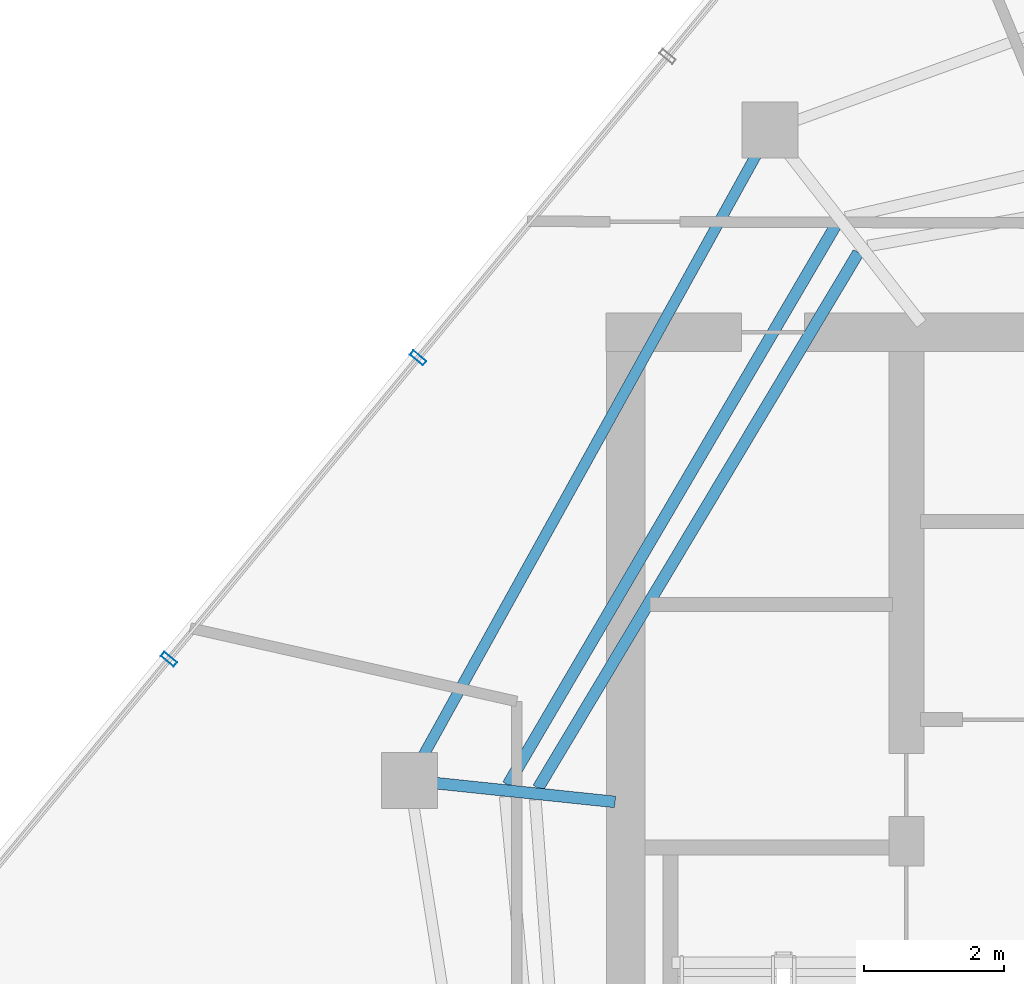
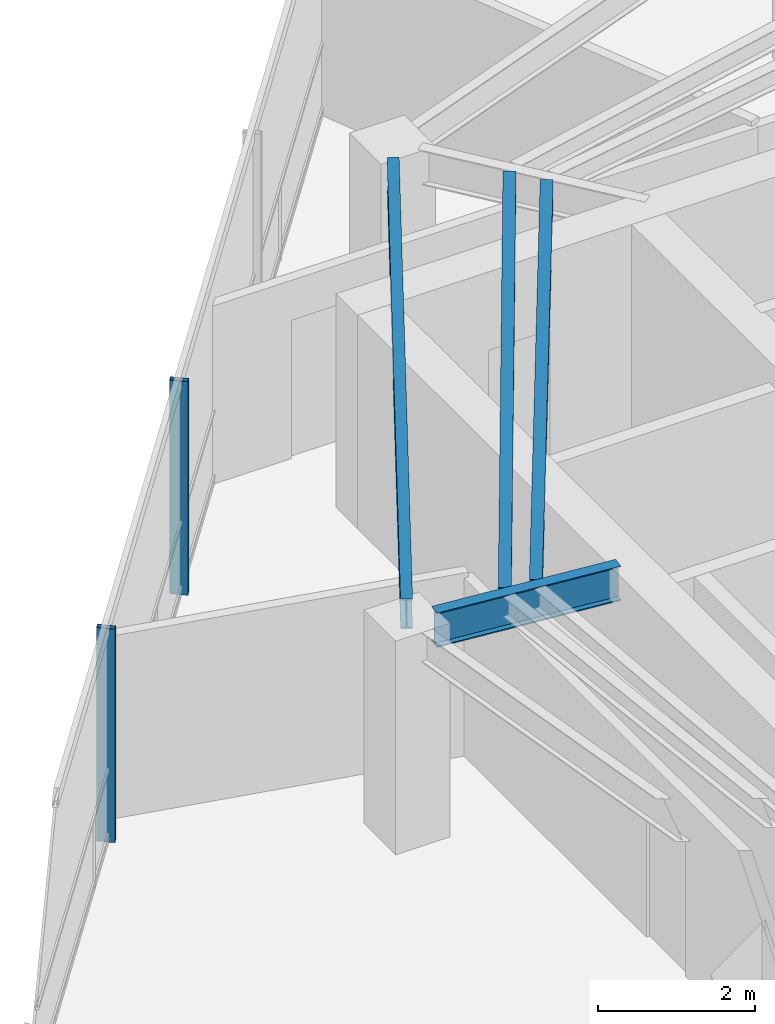
# One storey, part 6 of 19: 4 beams, 2 members, 1 element without a shape of its own.
"""IFC4 building model written with IfcOpenShell, lengths in metres."""

from ifc_helpers import new_model, si_unit, direction, frame, origin, origin_2d, place, context, subcontext, project, spatial, hollow_rectangle, i_section, extrude, material, layer, layer_set, material_profile, profile_set, type_object, element, aggregate, save


model = new_model("IFC4")

# Units and contexts
model_context = context("Model", 3, precision=1e-05, world=origin(), true_north=direction((0.0, 1.0)))
body_context = subcontext(model_context, "Body", "Model", "MODEL_VIEW")
ifc_project = project(units=[si_unit("LENGTHUNIT", "METRE"), si_unit("AREAUNIT", "SQUARE_METRE"), si_unit("VOLUMEUNIT", "CUBIC_METRE"), si_unit("PLANEANGLEUNIT", "RADIAN"), si_unit("MASSUNIT", "GRAM", prefix="KILO")], contexts=[model_context])

# Site, building, storey
site_placement = place(None, origin())
site = spatial("IfcSite", under=ifc_project, at=site_placement, CompositionType="ELEMENT")
building_placement = place(site_placement, origin())
building = spatial("IfcBuilding", under=site, at=building_placement, Name="Qarnah Convention Tower", CompositionType="ELEMENT")
storey_placement = place(building_placement, frame((0.0, 0.0, 257.10009765625)))
storey = spatial("IfcBuildingStorey", under=building, at=storey_placement, Name="L69", CompositionType="ELEMENT", Elevation=257.10009765625)

# Beams
ifc_material_1 = material(Name="Structural steel S355JR", Category="steel")
ifc_material_profile_1 = material_profile(ifc_material_1, i_section(OverallWidth=0.166015625, OverallDepth=0.31201171875, WebThickness=0.007080078125, FlangeThickness=0.010986328125, at=origin_2d()), Name="W310X45")
ifc_profile_set_1 = profile_set([ifc_material_profile_1], Name="Structural steel S355JR")
beam_type_1 = type_object("IfcBeamType", Name="BM-JST-W310", PredefinedType="JOIST", material=ifc_profile_set_1)
beam_1_placement = place(storey_placement, frame((29.801025390625, 35.73388671875, 3.163818359375), z_axis=(-0.505632134477, -0.862749178258, 0.0), x_axis=(0.862749178258, -0.505632134477, 0.0)))
element("IfcBeam", 1, at=beam_1_placement, inside=storey, type_object=beam_type_1, Name="L69 joist BM-L69-SJST-04", PredefinedType="JOIST", context=body_context, shape_type="SweptSolid", body=[
    extrude(i_section(OverallWidth=0.166015625, OverallDepth=0.31201171875, WebThickness=0.007080078125, FlangeThickness=0.010986328125, at=origin_2d()), origin(), (0.0, 0.0, 1.0), 9.251708984375),
])
beam_2_placement = place(storey_placement, frame((30.115966796875, 35.33203125, 3.163818359375), z_axis=(-0.513372127696, -0.858166101932, 0.0), x_axis=(0.858166101932, -0.513372127696, 0.0)))
element("IfcBeam", 2, at=beam_2_placement, inside=storey, type_object=beam_type_1, Name="L69 joist BM-L69-IJST-04", PredefinedType="JOIST", context=body_context, shape_type="SweptSolid", body=[
    extrude(i_section(OverallWidth=0.166015625, OverallDepth=0.31201171875, WebThickness=0.007080078125, FlangeThickness=0.010986328125, at=origin_2d()), origin(), (0.0, 0.0, 1.0), 8.886474609375),
])
ifc_material_profile_2 = material_profile(ifc_material_1, i_section(OverallWidth=0.166015625, OverallDepth=0.535888671875, WebThickness=0.010009765625, FlangeThickness=0.01708984375, at=origin_2d()), Name="W530X85")
ifc_profile_set_2 = profile_set([ifc_material_profile_2], Name="Structural steel S355JR")
beam_type_2 = type_object("IfcBeamType", Name="BM-RAD-W530B", PredefinedType="BEAM", material=ifc_profile_set_2)
beam_3_placement = place(storey_placement, frame((26.65087890625, 27.509033203125, 3.052001953125), z_axis=(-0.994564280912, 0.104124402207, 0.0), x_axis=(-0.104124402207, -0.994564280912, 0.0)))
element("IfcBeam", 3, at=beam_3_placement, inside=storey, type_object=beam_type_2, Name="L69 beam BM-L69-RAD-05", PredefinedType="BEAM", context=body_context, shape_type="SweptSolid", body=[
    extrude(i_section(OverallWidth=0.166015625, OverallDepth=0.535888671875, WebThickness=0.010009765625, FlangeThickness=0.01708984375, at=origin_2d()), origin(), (0.0, 0.0, 1.0), 2.562744140625),
])
ifc_material_profile_3 = material_profile(ifc_material_1, i_section(OverallWidth=0.154052734375, OverallDepth=0.4599609375, WebThickness=0.009033203125, FlangeThickness=0.014892578125, at=origin_2d()), Name="W460X68")
ifc_profile_set_3 = profile_set([ifc_material_profile_3], Name="Structural steel S355JR")
beam_type_3 = type_object("IfcBeamType", Name="BM-SPN-W460B", PredefinedType="SPANDREL", material=ifc_profile_set_3)
beam_4_placement = place(storey_placement, frame((28.6689453125, 36.737060546875, 3.08984375), z_axis=(-0.48479748752, -0.87462643231, 0.0), x_axis=(0.87462643231, -0.48479748752, 0.0)))
element("IfcBeam", 4, at=beam_4_placement, inside=storey, type_object=beam_type_3, Name="L69 spandrel BM-L69-SPN-04", PredefinedType="SPANDREL", context=body_context, shape_type="SweptSolid", body=[
    extrude(i_section(OverallWidth=0.154052734375, OverallDepth=0.4599609375, WebThickness=0.009033203125, FlangeThickness=0.014892578125, at=origin_2d()), origin(), (0.0, 0.0, 1.0), 9.81005859375),
])

# Curtain wall, members
ifc_material_2 = material(Name="Tempered Low-E dark glass", Category="glass")
ifc_layer = layer(ifc_material_2, 0.176025390625)
ifc_layer_set = layer_set([ifc_layer], Name="Tempered Low-E dark glass")
curtain_wall_type = type_object("IfcCurtainWallType", Name="CWS-05", PredefinedType="NOTDEFINED", material=ifc_layer_set)
curtain_wall_placement = place(storey_placement, origin())
curtain_wall = element("IfcCurtainWall", 5, at=curtain_wall_placement, inside=storey, type_object=curtain_wall_type, Name="L69 unitised curtain wall CW-L69-F3", PredefinedType="NOTDEFINED")
ifc_material_3 = material(Name="Black anodised aluminium", Category="aluminium")
ifc_material_profile_4 = material_profile(ifc_material_3, hollow_rectangle(XDim=0.080078125, YDim=0.239990234375, WallThickness=0.0048828125, at=origin_2d()), Name="MUL-80X240")
ifc_profile_set_4 = profile_set([ifc_material_profile_4], Name="Black anodised aluminium")
member_type = type_object("IfcMemberType", Name="MUL-T5", PredefinedType="MULLION", material=ifc_profile_set_4)
member_1_placement = place(storey_placement, frame((20.29638671875, 29.54052734375, 0.0), z_axis=(0.0, 0.0, 1.0), x_axis=(0.637432488841, 0.770506211636, 0.0)))
member_1 = element("IfcMember", 6, at=member_1_placement, type_object=member_type, Name="CW-L69-F3 mullion 2", PredefinedType="MULLION", context=body_context, shape_type="SweptSolid", body=[
    extrude(hollow_rectangle(XDim=0.080078125, YDim=0.239990234375, WallThickness=0.0048828125, at=origin_2d()), origin(), (0.0, 0.0, 1.0), 3.31982421875),
])
member_2_placement = place(storey_placement, frame((23.8466796875, 33.832275390625, 0.0), z_axis=(0.0, 0.0, 1.0), x_axis=(0.637432488841, 0.770506211636, 0.0)))
member_2 = element("IfcMember", 7, at=member_2_placement, type_object=member_type, Name="CW-L69-F3 mullion 3", PredefinedType="MULLION", context=body_context, shape_type="SweptSolid", body=[
    extrude(hollow_rectangle(XDim=0.080078125, YDim=0.239990234375, WallThickness=0.0048828125, at=origin_2d()), origin(), (0.0, 0.0, 1.0), 3.31982421875),
])
aggregate(curtain_wall, [member_1, member_2])

save(model, "model.ifc")
